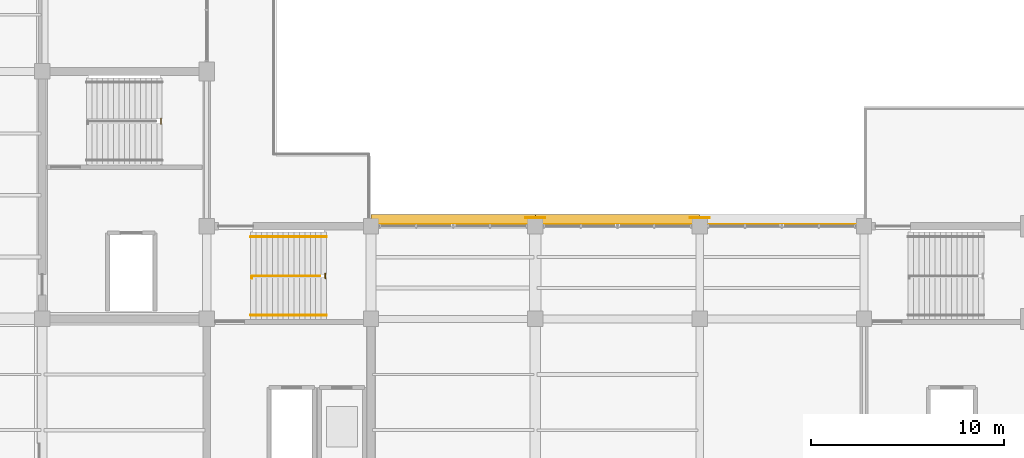
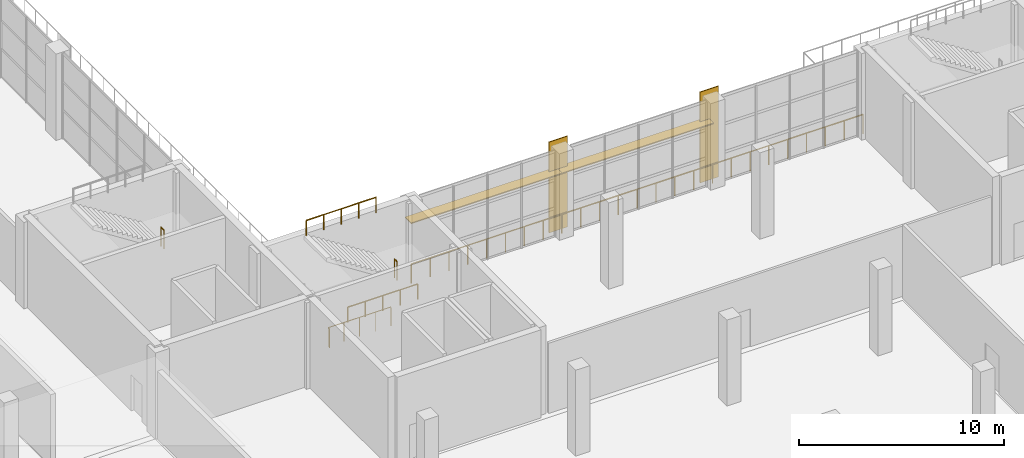
# One storey, part 79 of 90: 6 railings, 2 coverings, 2 shading devices.
"""IFC4 building model written with IfcOpenShell, lengths in metres."""

from ifc_helpers import new_model, si_unit, direction, frame, origin, origin_2d, place, context, subcontext, project, spatial, rectangle, hollow_rectangle, circle, extrude, material, layer, layer_set, material_profile, profile_set, type_object, element, save


model = new_model("IFC4")

# Units and contexts
model_context = context("Model", 3, precision=1e-05, world=origin(), true_north=direction((0.0, 1.0)))
body_context = subcontext(model_context, "Body", "Model", "MODEL_VIEW")
ifc_project = project(units=[si_unit("LENGTHUNIT", "METRE"), si_unit("AREAUNIT", "SQUARE_METRE"), si_unit("VOLUMEUNIT", "CUBIC_METRE"), si_unit("PLANEANGLEUNIT", "RADIAN"), si_unit("MASSUNIT", "GRAM", prefix="KILO")], contexts=[model_context])

# Site, building, storey
site_placement = place(None, origin())
site = spatial("IfcSite", under=ifc_project, at=site_placement, CompositionType="ELEMENT")
building_placement = place(site_placement, origin())
building = spatial("IfcBuilding", under=site, at=building_placement, Name="Solvikara Media Centre", CompositionType="ELEMENT")
storey_placement = place(building_placement, origin())
storey = spatial("IfcBuildingStorey", under=building, at=storey_placement, Name="L00", CompositionType="ELEMENT", Elevation=0.0)

# Coverings
ifc_material_1 = material(Name="GFRC white mineral architectural rainscreen panel")
ifc_layer = layer(ifc_material_1, 0.050048828125)
ifc_layer_set = layer_set([ifc_layer], Name="GFRC white mineral architectural rainscreen panel")
covering_type = type_object("IfcCoveringType", Name="CV-04", PredefinedType="CLADDING", material=ifc_layer_set)
for number, where, z_axis, x_axis, name in (
    (1, (51.0, 37.22509765625, 0.0), (0.0, 0.0, 1.0), (-1.0, 0.0, 0.0), "PIL-L00-123"),
    (2, (59.5, 37.22509765625, 0.0), (0.0, 0.0, 1.0), (-1.0, 0.0, 0.0), "PIL-L00-135"),
):
    element("IfcCovering", number, at=place(storey_placement, frame(where, z_axis=z_axis, x_axis=x_axis)), inside=storey, type_object=covering_type, Name=name, PredefinedType="CLADDING", context=body_context, shape_type="SweptSolid", body=[
        extrude(rectangle(XDim=1.0400390625, YDim=0.050048828125, at=origin_2d()), origin(), (0.0, 0.0, 1.0), 5.39990234375),
    ])

# Railings
ifc_material_2 = material(Name="Steel S355JR", Category="steel")
railing_type_1 = type_object("IfcRailingType", Name="GR-01", PredefinedType="GUARDRAIL", material=ifc_material_2)
railing_1_placement = place(storey_placement, frame((42.550048828125, 36.8798828125, 0.0)))
element("IfcRailing", 3, at=railing_1_placement, inside=storey, type_object=railing_type_1, Name="GR-L00-PRM-02", PredefinedType="GUARDRAIL", context=body_context, shape_type="SweptSolid", body=[
    extrude(circle(Radius=0.02392578125, at=origin_2d()), frame((0.0, 0.0, 1.1259765625), z_axis=(1.0, 0.0, 0.0), x_axis=(0.0, 1.0, 0.0)), (0.0, 0.0, 1.0), 25.39990234375),
    extrude(circle(Radius=0.02099609375, at=origin_2d()), origin(), (0.0, 0.0, 1.0), 1.101806640625),
    extrude(circle(Radius=0.02099609375, at=origin_2d()), frame((1.058349609375, 0.0, 0.0)), (0.0, 0.0, 1.0), 1.101806640625),
    extrude(circle(Radius=0.02099609375, at=origin_2d()), frame((2.11669921875, 0.0, 0.0)), (0.0, 0.0, 1.0), 1.101806640625),
    extrude(circle(Radius=0.02099609375, at=origin_2d()), frame((3.175048828125, 0.0, 0.0)), (0.0, 0.0, 1.0), 1.101806640625),
    extrude(circle(Radius=0.02099609375, at=origin_2d()), frame((4.2333984375, 0.0, 0.0)), (0.0, 0.0, 1.0), 1.101806640625),
    extrude(circle(Radius=0.02099609375, at=origin_2d()), frame((5.291748046875, 0.0, 0.0)), (0.0, 0.0, 1.0), 1.101806640625),
    extrude(circle(Radius=0.02099609375, at=origin_2d()), frame((6.35009765625, 0.0, 0.0)), (0.0, 0.0, 1.0), 1.101806640625),
    extrude(circle(Radius=0.02099609375, at=origin_2d()), frame((7.408203125, 0.0, 0.0)), (0.0, 0.0, 1.0), 1.101806640625),
    extrude(circle(Radius=0.02099609375, at=origin_2d()), frame((8.466552734375, 0.0, 0.0)), (0.0, 0.0, 1.0), 1.101806640625),
    extrude(circle(Radius=0.02099609375, at=origin_2d()), frame((9.52490234375, 0.0, 0.0)), (0.0, 0.0, 1.0), 1.101806640625),
    extrude(circle(Radius=0.02099609375, at=origin_2d()), frame((10.583251953125, 0.0, 0.0)), (0.0, 0.0, 1.0), 1.101806640625),
    extrude(circle(Radius=0.02099609375, at=origin_2d()), frame((11.6416015625, 0.0, 0.0)), (0.0, 0.0, 1.0), 1.101806640625),
    extrude(circle(Radius=0.02099609375, at=origin_2d()), frame((12.699951171875, 0.0, 0.0)), (0.0, 0.0, 1.0), 1.101806640625),
    extrude(circle(Radius=0.02099609375, at=origin_2d()), frame((13.75830078125, 0.0, 0.0)), (0.0, 0.0, 1.0), 1.101806640625),
    extrude(circle(Radius=0.02099609375, at=origin_2d()), frame((14.816650390625, 0.0, 0.0)), (0.0, 0.0, 1.0), 1.101806640625),
    extrude(circle(Radius=0.02099609375, at=origin_2d()), frame((15.875, 0.0, 0.0)), (0.0, 0.0, 1.0), 1.101806640625),
    extrude(circle(Radius=0.02099609375, at=origin_2d()), frame((16.933349609375, 0.0, 0.0)), (0.0, 0.0, 1.0), 1.101806640625),
    extrude(circle(Radius=0.02099609375, at=origin_2d()), frame((17.99169921875, 0.0, 0.0)), (0.0, 0.0, 1.0), 1.101806640625),
    extrude(circle(Radius=0.02099609375, at=origin_2d()), frame((19.0498046875, 0.0, 0.0)), (0.0, 0.0, 1.0), 1.101806640625),
    extrude(circle(Radius=0.02099609375, at=origin_2d()), frame((20.108154296875, 0.0, 0.0)), (0.0, 0.0, 1.0), 1.101806640625),
    extrude(circle(Radius=0.02099609375, at=origin_2d()), frame((21.16650390625, 0.0, 0.0)), (0.0, 0.0, 1.0), 1.101806640625),
    extrude(circle(Radius=0.02099609375, at=origin_2d()), frame((22.224853515625, 0.0, 0.0)), (0.0, 0.0, 1.0), 1.101806640625),
    extrude(circle(Radius=0.02099609375, at=origin_2d()), frame((23.283203125, 0.0, 0.0)), (0.0, 0.0, 1.0), 1.101806640625),
    extrude(circle(Radius=0.02099609375, at=origin_2d()), frame((24.341552734375, 0.0, 0.0)), (0.0, 0.0, 1.0), 1.101806640625),
    extrude(circle(Radius=0.02099609375, at=origin_2d()), frame((25.39990234375, 0.0, 0.0)), (0.0, 0.0, 1.0), 1.101806640625),
])
railing_2_placement = place(storey_placement, frame((36.340087890625, 34.10009765625, 0.0)))
element("IfcRailing", 4, at=railing_2_placement, inside=storey, type_object=railing_type_1, Name="GR-C2-B01-W", PredefinedType="GUARDRAIL", context=body_context, shape_type="SweptSolid", body=[
    extrude(circle(Radius=0.02392578125, at=origin_2d()), frame((0.0, 0.0, 1.1259765625), z_axis=(0.0, 1.0, 0.0), x_axis=(-1.0, 0.0, 0.0)), (0.0, 0.0, 1.0), 0.119873046875),
    extrude(circle(Radius=0.02392578125, at=origin_2d()), frame((0.0, 0.119873046875, 1.1259765625), z_axis=(1.0, 0.0, 0.0), x_axis=(0.0, 1.0, 0.0)), (0.0, 0.0, 1.0), 3.52001953125),
    extrude(circle(Radius=0.02099609375, at=origin_2d()), origin(), (0.0, 0.0, 1.0), 1.101806640625),
    extrude(circle(Radius=0.02099609375, at=origin_2d()), frame((0.0, 0.119873046875, 0.0)), (0.0, 0.0, 1.0), 1.101806640625),
    extrude(circle(Radius=0.02099609375, at=origin_2d()), frame((0.8798828125, 0.119873046875, 0.0)), (0.0, 0.0, 1.0), 1.101806640625),
    extrude(circle(Radius=0.02099609375, at=origin_2d()), frame((1.760009765625, 0.119873046875, 0.0)), (0.0, 0.0, 1.0), 1.101806640625),
    extrude(circle(Radius=0.02099609375, at=origin_2d()), frame((2.64013671875, 0.119873046875, 0.0)), (0.0, 0.0, 1.0), 1.101806640625),
    extrude(circle(Radius=0.02099609375, at=origin_2d()), frame((3.52001953125, 0.119873046875, 0.0)), (0.0, 0.0, 1.0), 1.101806640625),
])
railing_type_2 = type_object("IfcRailingType", Name="GR-02", PredefinedType="BALUSTRADE", material=ifc_material_2)
railing_3_placement = place(storey_placement, frame((31.639892578125, 42.080078125, 2.699951171875)))
element("IfcRailing", 5, at=railing_3_placement, inside=storey, type_object=railing_type_2, Name="GR-C1-L00-M", PredefinedType="BALUSTRADE", context=body_context, shape_type="SweptSolid", body=[
    extrude(circle(Radius=0.02392578125, at=origin_2d()), frame((0.0, 0.0, 1.09619140625), z_axis=(0.0, 1.0, 0.0), x_axis=(-1.0, 0.0, 0.0)), (0.0, 0.0, 1.0), 0.2900390625),
    extrude(circle(Radius=0.02099609375, at=origin_2d()), origin(), (0.0, 0.0, 1.0), 1.072021484375),
    extrude(circle(Radius=0.02099609375, at=origin_2d()), frame((0.0, 0.2900390625, 0.0)), (0.0, 0.0, 1.0), 1.072021484375),
])
railing_4_placement = place(storey_placement, frame((40.139892578125, 34.10009765625, 2.699951171875)))
element("IfcRailing", 6, at=railing_4_placement, inside=storey, type_object=railing_type_2, Name="GR-C2-L00-M", PredefinedType="BALUSTRADE", context=body_context, shape_type="SweptSolid", body=[
    extrude(circle(Radius=0.02392578125, at=origin_2d()), frame((0.0, 0.0, 1.09619140625), z_axis=(0.0, 1.0, 0.0), x_axis=(-1.0, 0.0, 0.0)), (0.0, 0.0, 1.0), 0.25),
    extrude(circle(Radius=0.02099609375, at=origin_2d()), origin(), (0.0, 0.0, 1.0), 1.072021484375),
    extrude(circle(Radius=0.02099609375, at=origin_2d()), frame((0.0, 0.25, 0.0)), (0.0, 0.0, 1.0), 1.072021484375),
])
railing_type_3 = type_object("IfcRailingType", Name="HR-01", PredefinedType="HANDRAIL", material=ifc_material_2)
railing_5_placement = place(storey_placement, frame((36.280029296875, 32.199951171875, 2.699951171875)))
element("IfcRailing", 7, at=railing_5_placement, inside=storey, type_object=railing_type_3, Name="HR-C2-L00-1", PredefinedType="HANDRAIL", context=body_context, shape_type="SweptSolid", body=[
    extrude(circle(Radius=0.02392578125, at=origin_2d()), frame((0.0, 0.0, 0.89599609375), z_axis=(1.0, 0.0, 0.0), x_axis=(0.0, 1.0, 0.0)), (0.0, 0.0, 1.0), 3.919921875),
    extrude(circle(Radius=0.02099609375, at=origin_2d()), origin(), (0.0, 0.0, 1.0), 0.871826171875),
    extrude(circle(Radius=0.02099609375, at=origin_2d()), frame((0.97998046875, 0.0, 0.0)), (0.0, 0.0, 1.0), 0.871826171875),
    extrude(circle(Radius=0.02099609375, at=origin_2d()), frame((1.9599609375, 0.0, 0.0)), (0.0, 0.0, 1.0), 0.871826171875),
    extrude(circle(Radius=0.02099609375, at=origin_2d()), frame((2.93994140625, 0.0, 0.0)), (0.0, 0.0, 1.0), 0.871826171875),
    extrude(circle(Radius=0.02099609375, at=origin_2d()), frame((3.919921875, 0.0, 0.0)), (0.0, 0.0, 1.0), 0.871826171875),
])
railing_6_placement = place(storey_placement, frame((40.199951171875, 36.25, 5.39990234375)))
element("IfcRailing", 8, at=railing_6_placement, inside=storey, type_object=railing_type_3, Name="HR-C2-L00-2", PredefinedType="HANDRAIL", context=body_context, shape_type="SweptSolid", body=[
    extrude(circle(Radius=0.02392578125, at=origin_2d()), frame((0.0, 0.0, 0.89599609375), z_axis=(-1.0, 0.0, 0.0), x_axis=(0.0, -1.0, 0.0)), (0.0, 0.0, 1.0), 3.919921875),
    extrude(circle(Radius=0.02099609375, at=origin_2d()), origin(), (0.0, 0.0, 1.0), 0.871826171875),
    extrude(circle(Radius=0.02099609375, at=origin_2d()), frame((-0.97998046875, 0.0, 0.0)), (0.0, 0.0, 1.0), 0.871826171875),
    extrude(circle(Radius=0.02099609375, at=origin_2d()), frame((-1.9599609375, 0.0, 0.0)), (0.0, 0.0, 1.0), 0.871826171875),
    extrude(circle(Radius=0.02099609375, at=origin_2d()), frame((-2.93994140625, 0.0, 0.0)), (0.0, 0.0, 1.0), 0.871826171875),
    extrude(circle(Radius=0.02099609375, at=origin_2d()), frame((-3.919921875, 0.0, 0.0)), (0.0, 0.0, 1.0), 0.871826171875),
])

# Shading devices
ifc_material_3 = material(Name="Anodised aluminium EN AW-6063", Category="aluminium")
ifc_material_profile = material_profile(ifc_material_3, hollow_rectangle(XDim=0.60009765625, YDim=0.06005859375, WallThickness=0.00341796875, at=origin_2d()), Name="ALU-LOUVRE 60x600x3.5")
ifc_profile_set = profile_set([ifc_material_profile], Name="Anodised aluminium EN AW-6063")
shading_device_type = type_object("IfcShadingDeviceType", Name="SH-02", PredefinedType="JALOUSIE", material=ifc_profile_set)
for number, where, z_axis, x_axis, name in (
    (9, (42.5, 37.10009765625, 3.60009765625), (1.0, 0.0, 0.0), (0.0, 1.0, 0.0), "LVR-L00-001"),
    (10, (51.0, 37.10009765625, 3.60009765625), (1.0, 0.0, 0.0), (0.0, 1.0, 0.0), "LVR-L00-002"),
):
    element("IfcShadingDevice", number, at=place(storey_placement, frame(where, z_axis=z_axis, x_axis=x_axis)), inside=storey, type_object=shading_device_type, Name=name, PredefinedType="JALOUSIE", context=body_context, shape_type="SweptSolid", body=[
        extrude(hollow_rectangle(XDim=0.60009765625, YDim=0.06005859375, WallThickness=0.00341796875, at=origin_2d()), origin(), (0.0, 0.0, 1.0), 8.5),
    ])

save(model, "model.ifc")
